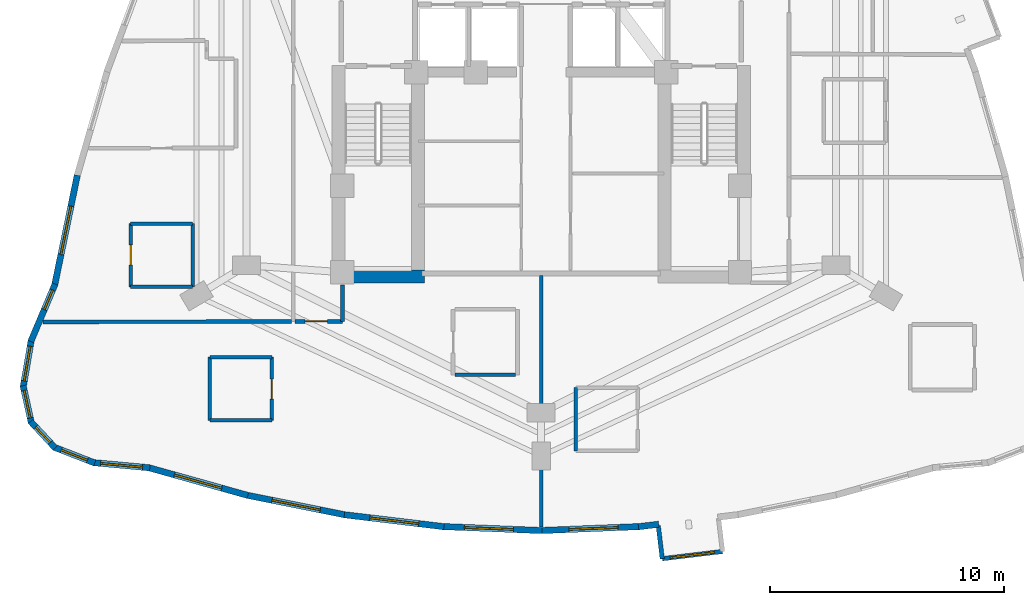
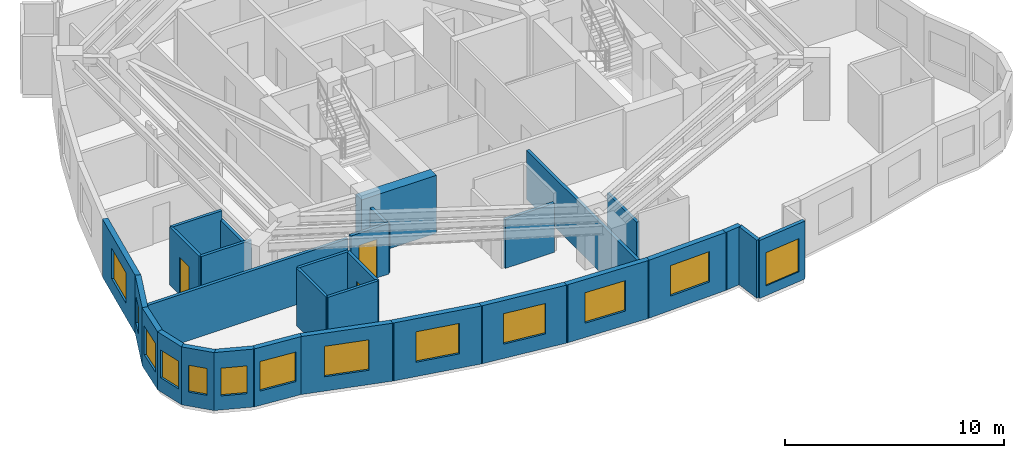
# One storey, part 6 of 12: 30 walls, 13 windows, 3 doors, 16 openings.
"""IFC4 building model written with IfcOpenShell, lengths in metres."""

import ifcopenshell
import ifcopenshell.guid

model = None  # the IFC model being written
_history = None  # IfcOwnerHistory: only IFC2X3 demands one
_inside = {}  # id of a spatial element -> (the spatial element, [elements in it])
_under = {}  # id of a project, library or spatial element -> (it, [spatial elements below it])
_declared = {}  # id of a project -> (the project, [libraries it declares])
_typed = {}  # id of a type object -> (the type object, [elements of that type])
_made_of = {}  # id of a material, layer set ... -> (it, [elements and type objects made of it])


def new_model(schema):
    """Start an empty IFC model of exactly this schema.

    Asked for "IFC4X3", IfcOpenShell would pick the latest addendum, in which some entities
    have other attributes; the version numbers below select the first issue.
    IFC2X3 requires an IfcOwnerHistory on every rooted entity: one is made here for all.
    """
    global model, _history
    if schema == "IFC4X3":
        model = ifcopenshell.file(schema_version=(4, 3, 0, 0))
    else:
        model = ifcopenshell.file(schema=schema)
    _inside.clear()
    _under.clear()
    _declared.clear()
    _typed.clear()
    _made_of.clear()
    _history = None
    if model.schema == "IFC2X3":
        org = make("IfcOrganization", Name="unknown")
        user = make(
            "IfcPersonAndOrganization",
            ThePerson=make("IfcPerson", FamilyName="unknown"),
            TheOrganization=org,
        )
        app = make(
            "IfcApplication",
            ApplicationDeveloper=org,
            Version="unknown",
            ApplicationFullName="unknown",
            ApplicationIdentifier="unknown",
        )
        _history = make(
            "IfcOwnerHistory",
            OwningUser=user,
            OwningApplication=app,
            ChangeAction="ADDED",
            CreationDate=0,
        )
    return model


def make(cls, **values):
    """One entity of the class cls with the attributes given. An attribute that is None is left unset."""
    return model.create_entity(
        cls, **{name: value for name, value in values.items() if value is not None}
    )


def rooted(cls, **values):
    """An entity with a GlobalId (a new one), such as an element, a storey or a relation."""
    return make(cls, GlobalId=ifcopenshell.guid.new(), OwnerHistory=_history, **values)


def si_unit(unit_type, name, prefix=None):
    """IfcSIUnit, for example si_unit("LENGTHUNIT", "METRE", prefix="MILLI")."""
    return make("IfcSIUnit", UnitType=unit_type, Prefix=prefix, Name=name)


def assignment(units):
    """IfcUnitAssignment: the units of a project."""
    return None if units is None else make("IfcUnitAssignment", Units=units)


def point(xyz):
    """IfcCartesianPoint."""
    return None if xyz is None else make("IfcCartesianPoint", Coordinates=xyz)


def direction(xyz):
    """IfcDirection."""
    return None if xyz is None else make("IfcDirection", DirectionRatios=xyz)


def frame(location, z_axis=None, x_axis=None):
    """IfcAxis2Placement3D, a coordinate frame: its origin and axes. An axis left out is left unset."""
    return make(
        "IfcAxis2Placement3D",
        Location=point(location),
        Axis=direction(z_axis),
        RefDirection=direction(x_axis),
    )


def frame_2d(location, x_axis=None):
    """IfcAxis2Placement2D, a coordinate frame in the plane: its origin and x axis."""
    return make(
        "IfcAxis2Placement2D", Location=point(location), RefDirection=direction(x_axis)
    )


def origin():
    """The frame at (0, 0, 0) with its axes left unset."""
    return frame((0.0, 0.0, 0.0))


def place(relative_to, where):
    """IfcLocalPlacement: puts the frame where relative to a parent placement (None: the world)."""
    return make(
        "IfcLocalPlacement", PlacementRelTo=relative_to, RelativePlacement=where
    )


def context(
    kind, dimensions, precision=None, world=None, true_north=None, identifier=None
):
    """IfcGeometricRepresentationContext, for example the 3D "Model" context."""
    return make(
        "IfcGeometricRepresentationContext",
        ContextIdentifier=identifier,
        ContextType=kind,
        CoordinateSpaceDimension=dimensions,
        Precision=precision,
        WorldCoordinateSystem=world,
        TrueNorth=true_north,
    )


def subcontext(parent, identifier, kind, view, scale=None):
    """IfcGeometricRepresentationSubContext, for example "Body" below "Model"."""
    return make(
        "IfcGeometricRepresentationSubContext",
        ContextIdentifier=identifier,
        ContextType=kind,
        ParentContext=parent,
        TargetScale=scale,
        TargetView=view,
    )


def project(units=None, contexts=None):
    """IfcProject with its units and contexts."""
    return rooted(
        "IfcProject",
        Name="project",
        RepresentationContexts=contexts,
        UnitsInContext=assignment(units),
    )


def spatial(cls, under=None, at=None, **own):
    """A site, building, storey or space (cls), placed at a placement, below another one or the project."""
    s = rooted(cls, ObjectPlacement=at, **own)
    if under is not None:
        _under.setdefault(under.id(), (under, []))[1].append(s)
    return s


def profile(cls, at=None, kind="AREA", **sizes):
    """A parametric profile (cls). Its sizes go by their IFC names, for example OverallWidth=200.0."""
    return make(cls, ProfileType=kind, Position=at, **sizes)


def rectangle(**sizes):
    """IfcRectangleProfileDef."""
    return profile("IfcRectangleProfileDef", **sizes)


def extrude(swept, where, along, depth):
    """IfcExtrudedAreaSolid: the profile swept, set in the frame where, extruded along a direction by depth."""
    return make(
        "IfcExtrudedAreaSolid",
        SweptArea=swept,
        Position=where,
        ExtrudedDirection=direction(along),
        Depth=depth,
    )


def shape(context_of_items, identifier, shape_type, items):
    """IfcShapeRepresentation: the items that make up one representation, for example the "Body"."""
    return make(
        "IfcShapeRepresentation",
        ContextOfItems=context_of_items,
        RepresentationIdentifier=identifier,
        RepresentationType=shape_type,
        Items=items,
    )


def material(Name=None, Category=None):
    """IfcMaterial."""
    return make("IfcMaterial", Name=Name, Category=Category)


def layer(
    of_material, thickness, ventilated=None, Name=None, Category=None, Priority=None
):
    """IfcMaterialLayer: one layer of a wall or slab, of a material (None: an air gap)."""
    return make(
        "IfcMaterialLayer",
        Material=of_material,
        LayerThickness=thickness,
        IsVentilated=ventilated,
        Name=Name,
        Category=Category,
        Priority=Priority,
    )


def layer_set(layers, Name=None):
    """IfcMaterialLayerSet."""
    return make("IfcMaterialLayerSet", MaterialLayers=layers, LayerSetName=Name)


def made_of(thing, what):
    """Note that an element or type object is made of a material, layer set ...; save() writes the relation."""
    if what is not None:
        _made_of.setdefault(what.id(), (what, []))[1].append(thing)
    return thing


def type_object(cls, material=None, **own):
    """A type object (cls), such as IfcWallType, which elements share."""
    return made_of(rooted(cls, **own), material)


def element(
    cls,
    number,
    at=None,
    inside=None,
    cuts=None,
    type_object=None,
    material=None,
    context=None,
    identifier="Body",
    shape_type=None,
    held_by="IfcProductDefinitionShape",
    body=None,
    shapes=None,
    **own,
):
    """One element of the class cls, such as IfcWall. Its Tag is "e" and its number.

    at: its placement. inside: the storey or other place that contains it. cuts: it is an
    opening in that element (IfcRelVoidsElement). A single representation is given by context,
    identifier, shape_type and body (its items); several are given by shapes. held_by: the class
    of the entity that holds the representations. save() writes the other relations.
    """
    e = rooted(cls, Tag="e%d" % number, ObjectPlacement=at, **own)
    if body is not None:
        shapes = [shape(context, identifier, shape_type, body)]
    if shapes is not None:
        e.Representation = make(held_by, Representations=shapes)
    if inside is not None:
        _inside.setdefault(inside.id(), (inside, []))[1].append(e)
    if cuts is not None:
        rooted(
            "IfcRelVoidsElement", RelatingBuildingElement=cuts, RelatedOpeningElement=e
        )
    if type_object is not None:
        _typed.setdefault(type_object.id(), (type_object, []))[1].append(e)
    return made_of(e, material)


def fill(opening, filler):
    """IfcRelFillsElement: the door or window that sits in an opening."""
    return rooted(
        "IfcRelFillsElement",
        RelatingOpeningElement=opening,
        RelatedBuildingElement=filler,
    )


def aggregate(whole, parts):
    """IfcRelAggregates: a whole, such as a stair, and the parts it consists of."""
    return rooted("IfcRelAggregates", RelatingObject=whole, RelatedObjects=parts)


def save(model, path):
    """Write the relations noted so far, then the file.

    IfcRelAggregates (storeys below a building ...), IfcRelContainedInSpatialStructure (elements
    in a storey), IfcRelDefinesByType, IfcRelAssociatesMaterial and IfcRelDeclares: one each for
    every whole, place, type object, material and project.
    """
    for whole, parts in _under.values():
        aggregate(whole, parts)
    for where, things in _inside.values():
        rooted(
            "IfcRelContainedInSpatialStructure",
            RelatedElements=things,
            RelatingStructure=where,
        )
    for kind, things in _typed.values():
        rooted("IfcRelDefinesByType", RelatedObjects=things, RelatingType=kind)
    for what, things in _made_of.values():
        rooted("IfcRelAssociatesMaterial", RelatedObjects=things, RelatingMaterial=what)
    for by, libraries in _declared.values():
        rooted("IfcRelDeclares", RelatingContext=by, RelatedDefinitions=libraries)
    model.write(path)


model = new_model("IFC4")

# Units and contexts
model_context = context("Model", 3, precision=1e-05, world=origin(), true_north=direction((0.0, 1.0)))
body_context = subcontext(model_context, "Body", "Model", "MODEL_VIEW")
ifc_project = project(units=[si_unit("LENGTHUNIT", "METRE"), si_unit("AREAUNIT", "SQUARE_METRE"), si_unit("VOLUMEUNIT", "CUBIC_METRE"), si_unit("PLANEANGLEUNIT", "RADIAN"), si_unit("MASSUNIT", "GRAM", prefix="KILO")], contexts=[model_context])

# Site, building, storey
site_placement = place(None, origin())
site = spatial("IfcSite", under=ifc_project, at=site_placement, CompositionType="ELEMENT")
building_placement = place(site_placement, origin())
building = spatial("IfcBuilding", under=site, at=building_placement, Name="Miruveldt Soraemaru", CompositionType="ELEMENT")
storey_placement = place(building_placement, frame((0.0, 0.0, 103.89990234375)))
storey = spatial("IfcBuildingStorey", under=building, at=storey_placement, Name="L28", CompositionType="ELEMENT", Elevation=103.89990234375)

# Wall
ifc_material_1 = material(Name="White powder-coated aluminium EN AW-6060 T6", Category="aluminium")
ifc_layer_1 = layer(ifc_material_1, 0.18994140625, Name="White powder-coated aluminium EN AW-6060 T6", Category="aluminium")
ifc_layer_set_1 = layer_set([ifc_layer_1], Name="White powder-coated aluminium EN AW-6060 T6")
wall_type_1 = type_object("IfcWallType", Name="WALL-BAY-ALU190", PredefinedType="SOLIDWALL", material=ifc_layer_set_1)
wall_1_placement = place(storey_placement, frame((49.00439453125, 24.66650390625, 0.0), z_axis=(0.0, 0.0, 1.0), x_axis=(0.119246559468, -0.992864672579, 0.0)))
element("IfcWall", 1, at=wall_1_placement, inside=storey, type_object=wall_type_1, Name="L28 Bay Window Side Cheek 1L", PredefinedType="SOLIDWALL", context=body_context, shape_type="SweptSolid", body=[
    extrude(rectangle(XDim=1.425048828125, YDim=0.18994140625, at=frame_2d((0.71240234375, 0.0))), origin(), (0.0, 0.0, 1.0), 3.235107421875),
])

# Wall, opening, window
wall_2_placement = place(storey_placement, frame((49.17431640625, 23.251708984375, 0.0), z_axis=(0.0, 0.0, 1.0), x_axis=(0.992885278793, 0.119074863663, 0.0)))
wall_2 = element("IfcWall", 2, at=wall_2_placement, inside=storey, type_object=wall_type_1, Name="L28 Bay Window Front Frame 1", PredefinedType="SOLIDWALL", context=body_context, shape_type="SweptSolid", body=[
    extrude(rectangle(XDim=2.599853515625, YDim=0.18994140625, at=frame_2d((1.2998046875, 0.0))), origin(), (0.0, 0.0, 1.0), 3.235107421875),
])
opening_1_placement = place(wall_2_placement, frame((0.35009765625, 0.0, 0.550048828125)))
opening_1 = element("IfcOpeningElement", 3, at=opening_1_placement, cuts=wall_2, Name="Opening WN-6", PredefinedType="OPENING", context=body_context, shape_type="SweptSolid", body=[
    extrude(rectangle(XDim=1.89990234375, YDim=1.85009765625, at=frame_2d((0.949951171875, 0.925048828125))), frame((0.0, 0.10498046875, 0.0), z_axis=(0.0, -1.0, 0.0), x_axis=(1.0, 0.0, 0.0)), (0.0, 0.0, 1.0), 0.2099609375),
])
ifc_material_2 = material(Name="Triple low-e insulated glazing", Category="glass")
window_type_1 = type_object("IfcWindowType", Name="WIN-BAYW-1900x1850", PartitioningType="SINGLE_PANEL", PredefinedType="WINDOW", material=ifc_material_2)
window_1_placement = place(opening_1_placement, origin())
window_1 = element("IfcWindow", 4, at=window_1_placement, inside=storey, type_object=window_type_1, Name="L28 Projecting Bay Window 1", OverallHeight=1.85009765625, OverallWidth=1.89990234375, PartitioningType="SINGLE_PANEL", PredefinedType="WINDOW", context=body_context, shape_type="SweptSolid", body=[
    extrude(rectangle(XDim=1.89990234375, YDim=1.85009765625, at=frame_2d((0.949951171875, 0.925048828125))), frame((0.0, 0.030029296875, 0.0), z_axis=(0.0, -1.0, 0.0), x_axis=(1.0, 0.0, 0.0)), (0.0, 0.0, 1.0), 0.06005859375),
])
fill(opening_1, window_1)

# Wall
ifc_material_3 = material(Name="Concrete C70/85 (70 MPa)", Category="concrete")
ifc_layer_2 = layer(ifc_material_3, 0.550048828125, Name="Concrete C70/85 (70 MPa)", Category="concrete")
ifc_layer_set_2 = layer_set([ifc_layer_2], Name="Concrete C70/85 (70 MPa)")
wall_type_2 = type_object("IfcWallType", Name="WALL-CW-550", PredefinedType="SHEAR", material=ifc_layer_set_2)
wall_3_placement = place(storey_placement, frame((35.050048828125, 35.324951171875, 0.0), z_axis=(0.0, 0.0, 1.0), x_axis=(1.0, 0.0, 0.0)))
element("IfcWall", 5, at=wall_3_placement, inside=storey, type_object=wall_type_2, Name="L28 Central Core Shear Wall S1", PredefinedType="SHEAR", context=body_context, shape_type="SweptSolid", body=[
    extrude(rectangle(XDim=3.949951171875, YDim=0.550048828125, at=frame_2d((1.97509765625, 0.0))), origin(), (0.0, 0.0, 1.0), 3.235107421875),
])

# Wall, opening, window
ifc_material_4 = material(Name="Precast concrete C45/55 (45 MPa)", Category="concrete")
ifc_layer_3 = layer(ifc_material_4, 0.27001953125, Name="Precast concrete C45/55 (45 MPa)", Category="concrete")
ifc_layer_set_3 = layer_set([ifc_layer_3], Name="Precast concrete C45/55 (45 MPa)")
wall_type_3 = type_object("IfcWallType", Name="WALL-EXT-PC270", PredefinedType="SOLIDWALL", material=ifc_layer_set_3)
wall_4_placement = place(storey_placement, frame((24.16162109375, 39.652099609375, 0.0), z_axis=(0.0, 0.0, 1.0), x_axis=(-0.201557182252, -0.97947674923, 0.0)))
wall_4 = element("IfcWall", 6, at=wall_4_placement, inside=storey, type_object=wall_type_3, Name="L28 Precast Concrete Facade Wall 14", PredefinedType="SOLIDWALL", context=body_context, shape_type="SweptSolid", body=[
    extrude(rectangle(XDim=4.82080078125, YDim=0.27001953125, at=frame_2d((2.410400390625, 0.0))), origin(), (0.0, 0.0, 1.0), 3.235107421875),
])
opening_2_placement = place(wall_4_placement, frame((1.360107421875, 0.0, 0.800048828125)))
opening_2 = element("IfcOpeningElement", 7, at=opening_2_placement, cuts=wall_4, Name="Opening WN-1", PredefinedType="OPENING", context=body_context, shape_type="SweptSolid", body=[
    extrude(rectangle(XDim=2.10009765625, YDim=1.699951171875, at=frame_2d((1.050048828125, 0.85009765625))), frame((0.0, 0.14501953125, 0.0), z_axis=(0.0, -1.0, 0.0), x_axis=(1.0, 0.0, 0.0)), (0.0, 0.0, 1.0), 0.2900390625),
])
window_type_2 = type_object("IfcWindowType", Name="WIN-PUNCH-2100x1700", PartitioningType="SINGLE_PANEL", PredefinedType="WINDOW", material=ifc_material_2)
window_2_placement = place(opening_2_placement, origin())
window_2 = element("IfcWindow", 8, at=window_2_placement, inside=storey, type_object=window_type_2, Name="L28 Punched Triple-Glazed Window 14.1", OverallHeight=1.699951171875, OverallWidth=2.10009765625, PartitioningType="SINGLE_PANEL", PredefinedType="WINDOW", context=body_context, shape_type="SweptSolid", body=[
    extrude(rectangle(XDim=2.10009765625, YDim=1.699951171875, at=frame_2d((1.050048828125, 0.85009765625))), frame((0.0, 0.030029296875, 0.0), z_axis=(0.0, -1.0, 0.0), x_axis=(1.0, 0.0, 0.0)), (0.0, 0.0, 1.0), 0.06005859375),
])
fill(opening_2, window_2)

wall_5_placement = place(storey_placement, frame((23.210693359375, 34.99658203125, 0.0), z_axis=(0.0, 0.0, 1.0), x_axis=(-0.38867133727, -0.921376465721, 0.0)))
wall_5 = element("IfcWall", 9, at=wall_5_placement, inside=storey, type_object=wall_type_3, Name="L28 Precast Concrete Facade Wall 15", PredefinedType="SOLIDWALL", context=body_context, shape_type="SweptSolid", body=[
    extrude(rectangle(XDim=2.66455078125, YDim=0.27001953125, at=frame_2d((1.332275390625, 0.0))), origin(), (0.0, 0.0, 1.0), 3.235107421875),
])
opening_3_placement = place(wall_5_placement, frame((0.279052734375, 0.0, 0.780029296875)))
opening_3 = element("IfcOpeningElement", 10, at=opening_3_placement, cuts=wall_5, Name="Opening WN-7", PredefinedType="OPENING", context=body_context, shape_type="SweptSolid", body=[
    extrude(rectangle(XDim=0.89990234375, YDim=1.5, at=frame_2d((0.449951171875, 0.75))), frame((0.0, 0.14501953125, 0.0), z_axis=(0.0, -1.0, 0.0), x_axis=(1.0, 0.0, 0.0)), (0.0, 0.0, 1.0), 0.2900390625),
])
window_type_3 = type_object("IfcWindowType", Name="WIN-PUNCH-900x1500", PartitioningType="SINGLE_PANEL", PredefinedType="WINDOW", material=ifc_material_2)
window_3_placement = place(opening_3_placement, origin())
window_3 = element("IfcWindow", 11, at=window_3_placement, inside=storey, type_object=window_type_3, Name="L28 Punched Triple-Glazed Window 15.1", OverallHeight=1.5, OverallWidth=0.89990234375, PartitioningType="SINGLE_PANEL", PredefinedType="WINDOW", context=body_context, shape_type="SweptSolid", body=[
    extrude(rectangle(XDim=0.89990234375, YDim=1.5, at=frame_2d((0.449951171875, 0.75))), frame((0.0, 0.030029296875, 0.0), z_axis=(0.0, -1.0, 0.0), x_axis=(1.0, 0.0, 0.0)), (0.0, 0.0, 1.0), 0.06005859375),
])
fill(opening_3, window_3)

wall_6_placement = place(storey_placement, frame((22.194580078125, 32.608154296875, 0.0), z_axis=(0.0, 0.0, 1.0), x_axis=(-0.16931007095, -0.985562834057, 0.0)))
wall_6 = element("IfcWall", 12, at=wall_6_placement, inside=storey, type_object=wall_type_3, Name="L28 Precast Concrete Facade Wall 16", PredefinedType="SOLIDWALL", context=body_context, shape_type="SweptSolid", body=[
    extrude(rectangle(XDim=2.054931640625, YDim=0.27001953125, at=frame_2d((1.02734375, 0.0))), origin(), (0.0, 0.0, 1.0), 3.235107421875),
])
opening_4_placement = place(wall_6_placement, frame((0.278076171875, 0.0, 0.800048828125)))
opening_4 = element("IfcOpeningElement", 13, at=opening_4_placement, cuts=wall_6, Name="Opening WN-3", PredefinedType="OPENING", context=body_context, shape_type="SweptSolid", body=[
    extrude(rectangle(XDim=1.5, YDim=1.60009765625, at=frame_2d((0.75, 0.800048828125))), frame((0.0, 0.14501953125, 0.0), z_axis=(0.0, -1.0, 0.0), x_axis=(1.0, 0.0, 0.0)), (0.0, 0.0, 1.0), 0.2900390625),
])
window_type_4 = type_object("IfcWindowType", Name="WIN-PUNCH-1500x1600", PartitioningType="SINGLE_PANEL", PredefinedType="WINDOW", material=ifc_material_2)
window_4_placement = place(opening_4_placement, origin())
window_4 = element("IfcWindow", 14, at=window_4_placement, inside=storey, type_object=window_type_4, Name="L28 Punched Triple-Glazed Window 16.1", OverallHeight=1.60009765625, OverallWidth=1.5, PartitioningType="SINGLE_PANEL", PredefinedType="WINDOW", context=body_context, shape_type="SweptSolid", body=[
    extrude(rectangle(XDim=1.5, YDim=1.60009765625, at=frame_2d((0.75, 0.800048828125))), frame((0.0, 0.030029296875, 0.0), z_axis=(0.0, -1.0, 0.0), x_axis=(1.0, 0.0, 0.0)), (0.0, 0.0, 1.0), 0.06005859375),
])
fill(opening_4, window_4)

wall_7_placement = place(storey_placement, frame((21.844970703125, 30.651611328125, 0.0), z_axis=(0.0, 0.0, 1.0), x_axis=(0.215628344591, -0.976475507634, 0.0)))
wall_7 = element("IfcWall", 15, at=wall_7_placement, inside=storey, type_object=wall_type_3, Name="L28 Precast Concrete Facade Wall 17", PredefinedType="SOLIDWALL", context=body_context, shape_type="SweptSolid", body=[
    extrude(rectangle(XDim=1.628173828125, YDim=0.27001953125, at=frame_2d((0.81396484375, 0.0))), origin(), (0.0, 0.0, 1.0), 3.235107421875),
])
opening_5_placement = place(wall_7_placement, frame((0.214111328125, 0.0, 0.780029296875)))
opening_5 = element("IfcOpeningElement", 16, at=opening_5_placement, cuts=wall_7, Name="Opening WN-4", PredefinedType="OPENING", context=body_context, shape_type="SweptSolid", body=[
    extrude(rectangle(XDim=1.199951171875, YDim=1.550048828125, at=frame_2d((0.60009765625, 0.77490234375))), frame((0.0, 0.14501953125, 0.0), z_axis=(0.0, -1.0, 0.0), x_axis=(1.0, 0.0, 0.0)), (0.0, 0.0, 1.0), 0.2900390625),
])
window_type_5 = type_object("IfcWindowType", Name="WIN-PUNCH-1200x1550", PartitioningType="SINGLE_PANEL", PredefinedType="WINDOW", material=ifc_material_2)
window_5_placement = place(opening_5_placement, origin())
window_5 = element("IfcWindow", 17, at=window_5_placement, inside=storey, type_object=window_type_5, Name="L28 Punched Triple-Glazed Window 17.1", OverallHeight=1.550048828125, OverallWidth=1.199951171875, PartitioningType="SINGLE_PANEL", PredefinedType="WINDOW", context=body_context, shape_type="SweptSolid", body=[
    extrude(rectangle(XDim=1.199951171875, YDim=1.550048828125, at=frame_2d((0.60009765625, 0.77490234375))), frame((0.0, 0.030029296875, 0.0), z_axis=(0.0, -1.0, 0.0), x_axis=(1.0, 0.0, 0.0)), (0.0, 0.0, 1.0), 0.06005859375),
])
fill(opening_5, window_5)

wall_8_placement = place(storey_placement, frame((22.164794921875, 29.12158203125, 0.0), z_axis=(0.0, 0.0, 1.0), x_axis=(0.68019166937, -0.733034305418, 0.0)))
wall_8 = element("IfcWall", 18, at=wall_8_placement, inside=storey, type_object=wall_type_3, Name="L28 Precast Concrete Facade Wall 18", PredefinedType="SOLIDWALL", context=body_context, shape_type="SweptSolid", body=[
    extrude(rectangle(XDim=1.552490234375, YDim=0.27001953125, at=frame_2d((0.7763671875, 0.0))), origin(), (0.0, 0.0, 1.0), 3.235107421875),
])
opening_6_placement = place(wall_8_placement, frame((0.325927734375, 0.0, 0.780029296875)))
opening_6 = element("IfcOpeningElement", 19, at=opening_6_placement, cuts=wall_8, Name="Opening WN-7", PredefinedType="OPENING", context=body_context, shape_type="SweptSolid", body=[
    extrude(rectangle(XDim=0.89990234375, YDim=1.5, at=frame_2d((0.449951171875, 0.75))), frame((0.0, 0.14501953125, 0.0), z_axis=(0.0, -1.0, 0.0), x_axis=(1.0, 0.0, 0.0)), (0.0, 0.0, 1.0), 0.2900390625),
])
window_6_placement = place(opening_6_placement, origin())
window_6 = element("IfcWindow", 20, at=window_6_placement, inside=storey, type_object=window_type_3, Name="L28 Punched Triple-Glazed Window 18.1", OverallHeight=1.5, OverallWidth=0.89990234375, PartitioningType="SINGLE_PANEL", PredefinedType="WINDOW", context=body_context, shape_type="SweptSolid", body=[
    extrude(rectangle(XDim=0.89990234375, YDim=1.5, at=frame_2d((0.449951171875, 0.75))), frame((0.0, 0.030029296875, 0.0), z_axis=(0.0, -1.0, 0.0), x_axis=(1.0, 0.0, 0.0)), (0.0, 0.0, 1.0), 0.06005859375),
])
fill(opening_6, window_6)

wall_9_placement = place(storey_placement, frame((23.164306640625, 28.02197265625, 0.0), z_axis=(0.0, 0.0, 1.0), x_axis=(0.932266214278, -0.361773003023, 0.0)))
wall_9 = element("IfcWall", 21, at=wall_9_placement, inside=storey, type_object=wall_type_3, Name="L28 Precast Concrete Facade Wall 19", PredefinedType="SOLIDWALL", context=body_context, shape_type="SweptSolid", body=[
    extrude(rectangle(XDim=1.872802734375, YDim=0.27001953125, at=frame_2d((0.9365234375, 0.0))), origin(), (0.0, 0.0, 1.0), 3.235107421875),
])
opening_7_placement = place(wall_9_placement, frame((0.3369140625, 0.0, 0.780029296875)))
opening_7 = element("IfcOpeningElement", 22, at=opening_7_placement, cuts=wall_9, Name="Opening WN-4", PredefinedType="OPENING", context=body_context, shape_type="SweptSolid", body=[
    extrude(rectangle(XDim=1.199951171875, YDim=1.550048828125, at=frame_2d((0.60009765625, 0.77490234375))), frame((0.0, 0.14501953125, 0.0), z_axis=(0.0, -1.0, 0.0), x_axis=(1.0, 0.0, 0.0)), (0.0, 0.0, 1.0), 0.2900390625),
])
window_7_placement = place(opening_7_placement, origin())
window_7 = element("IfcWindow", 23, at=window_7_placement, inside=storey, type_object=window_type_5, Name="L28 Punched Triple-Glazed Window 19.1", OverallHeight=1.550048828125, OverallWidth=1.199951171875, PartitioningType="SINGLE_PANEL", PredefinedType="WINDOW", context=body_context, shape_type="SweptSolid", body=[
    extrude(rectangle(XDim=1.199951171875, YDim=1.550048828125, at=frame_2d((0.60009765625, 0.77490234375))), frame((0.0, 0.030029296875, 0.0), z_axis=(0.0, -1.0, 0.0), x_axis=(1.0, 0.0, 0.0)), (0.0, 0.0, 1.0), 0.06005859375),
])
fill(opening_7, window_7)

wall_10_placement = place(storey_placement, frame((24.8427734375, 27.360595703125, 0.0), z_axis=(0.0, 0.0, 1.0), x_axis=(0.995757206461, -0.092019485874, 0.0)))
wall_10 = element("IfcWall", 24, at=wall_10_placement, inside=storey, type_object=wall_type_3, Name="L28 Precast Concrete Facade Wall 20", PredefinedType="SOLIDWALL", context=body_context, shape_type="SweptSolid", body=[
    extrude(rectangle(XDim=2.432861328125, YDim=0.27001953125, at=frame_2d((1.21630859375, 0.0))), origin(), (0.0, 0.0, 1.0), 3.235107421875),
])
opening_8_placement = place(wall_10_placement, frame((0.31689453125, 0.0, 0.800048828125)))
opening_8 = element("IfcOpeningElement", 25, at=opening_8_placement, cuts=wall_10, Name="Opening WN-2", PredefinedType="OPENING", context=body_context, shape_type="SweptSolid", body=[
    extrude(rectangle(XDim=1.800048828125, YDim=1.64990234375, at=frame_2d((0.89990234375, 0.824951171875))), frame((0.0, 0.14501953125, 0.0), z_axis=(0.0, -1.0, 0.0), x_axis=(1.0, 0.0, 0.0)), (0.0, 0.0, 1.0), 0.2900390625),
])
window_type_6 = type_object("IfcWindowType", Name="WIN-PUNCH-1800x1650", PartitioningType="SINGLE_PANEL", PredefinedType="WINDOW", material=ifc_material_2)
window_8_placement = place(opening_8_placement, origin())
window_8 = element("IfcWindow", 26, at=window_8_placement, inside=storey, type_object=window_type_6, Name="L28 Punched Triple-Glazed Window 20.1", OverallHeight=1.64990234375, OverallWidth=1.800048828125, PartitioningType="SINGLE_PANEL", PredefinedType="WINDOW", context=body_context, shape_type="SweptSolid", body=[
    extrude(rectangle(XDim=1.800048828125, YDim=1.64990234375, at=frame_2d((0.89990234375, 0.824951171875))), frame((0.0, 0.030029296875, 0.0), z_axis=(0.0, -1.0, 0.0), x_axis=(1.0, 0.0, 0.0)), (0.0, 0.0, 1.0), 0.06005859375),
])
fill(opening_8, window_8)

wall_11_placement = place(storey_placement, frame((27.19677734375, 27.1494140625, 0.0), z_axis=(0.0, 0.0, 1.0), x_axis=(0.962970324639, -0.269607406916, 0.0)))
wall_11 = element("IfcWall", 27, at=wall_11_placement, inside=storey, type_object=wall_type_3, Name="L28 Precast Concrete Facade Wall 21", PredefinedType="SOLIDWALL", context=body_context, shape_type="SweptSolid", body=[
    extrude(rectangle(XDim=4.423583984375, YDim=0.27001953125, at=frame_2d((2.2119140625, 0.0))), origin(), (0.0, 0.0, 1.0), 3.235107421875),
])
opening_9_placement = place(wall_11_placement, frame((1.162109375, 0.0, 0.800048828125)))
opening_9 = element("IfcOpeningElement", 28, at=opening_9_placement, cuts=wall_11, Name="Opening WN-1", PredefinedType="OPENING", context=body_context, shape_type="SweptSolid", body=[
    extrude(rectangle(XDim=2.10009765625, YDim=1.699951171875, at=frame_2d((1.050048828125, 0.85009765625))), frame((0.0, 0.14501953125, 0.0), z_axis=(0.0, -1.0, 0.0), x_axis=(1.0, 0.0, 0.0)), (0.0, 0.0, 1.0), 0.2900390625),
])
window_9_placement = place(opening_9_placement, origin())
window_9 = element("IfcWindow", 29, at=window_9_placement, inside=storey, type_object=window_type_2, Name="L28 Punched Triple-Glazed Window 21.1", OverallHeight=1.699951171875, OverallWidth=2.10009765625, PartitioningType="SINGLE_PANEL", PredefinedType="WINDOW", context=body_context, shape_type="SweptSolid", body=[
    extrude(rectangle(XDim=2.10009765625, YDim=1.699951171875, at=frame_2d((1.050048828125, 0.85009765625))), frame((0.0, 0.030029296875, 0.0), z_axis=(0.0, -1.0, 0.0), x_axis=(1.0, 0.0, 0.0)), (0.0, 0.0, 1.0), 0.06005859375),
])
fill(opening_9, window_9)

wall_12_placement = place(storey_placement, frame((31.388427734375, 25.972900390625, 0.0), z_axis=(0.0, 0.0, 1.0), x_axis=(0.98057635362, -0.196137744255, 0.0)))
wall_12 = element("IfcWall", 30, at=wall_12_placement, inside=storey, type_object=wall_type_3, Name="L28 Precast Concrete Facade Wall 22", PredefinedType="SOLIDWALL", context=body_context, shape_type="SweptSolid", body=[
    extrude(rectangle(XDim=4.345458984375, YDim=0.27001953125, at=frame_2d((2.1728515625, 0.0))), origin(), (0.0, 0.0, 1.0), 3.235107421875),
])
opening_10_placement = place(wall_12_placement, frame((1.1220703125, 0.0, 0.800048828125)))
opening_10 = element("IfcOpeningElement", 31, at=opening_10_placement, cuts=wall_12, Name="Opening WN-1", PredefinedType="OPENING", context=body_context, shape_type="SweptSolid", body=[
    extrude(rectangle(XDim=2.10009765625, YDim=1.699951171875, at=frame_2d((1.050048828125, 0.85009765625))), frame((0.0, 0.14501953125, 0.0), z_axis=(0.0, -1.0, 0.0), x_axis=(1.0, 0.0, 0.0)), (0.0, 0.0, 1.0), 0.2900390625),
])
window_10_placement = place(opening_10_placement, origin())
window_10 = element("IfcWindow", 32, at=window_10_placement, inside=storey, type_object=window_type_2, Name="L28 Punched Triple-Glazed Window 22.1", OverallHeight=1.699951171875, OverallWidth=2.10009765625, PartitioningType="SINGLE_PANEL", PredefinedType="WINDOW", context=body_context, shape_type="SweptSolid", body=[
    extrude(rectangle(XDim=2.10009765625, YDim=1.699951171875, at=frame_2d((1.050048828125, 0.85009765625))), frame((0.0, 0.030029296875, 0.0), z_axis=(0.0, -1.0, 0.0), x_axis=(1.0, 0.0, 0.0)), (0.0, 0.0, 1.0), 0.06005859375),
])
fill(opening_10, window_10)

wall_13_placement = place(storey_placement, frame((35.580322265625, 25.1318359375, 0.0), z_axis=(0.0, 0.0, 1.0), x_axis=(0.992875761938, -0.119154191514, 0.0)))
wall_13 = element("IfcWall", 33, at=wall_13_placement, inside=storey, type_object=wall_type_3, Name="L28 Precast Concrete Facade Wall 23", PredefinedType="SOLIDWALL", context=body_context, shape_type="SweptSolid", body=[
    extrude(rectangle(XDim=4.29248046875, YDim=0.27001953125, at=frame_2d((2.146240234375, 0.0))), origin(), (0.0, 0.0, 1.0), 3.235107421875),
])
opening_11_placement = place(wall_13_placement, frame((1.096923828125, 0.0, 0.800048828125)))
opening_11 = element("IfcOpeningElement", 34, at=opening_11_placement, cuts=wall_13, Name="Opening WN-1", PredefinedType="OPENING", context=body_context, shape_type="SweptSolid", body=[
    extrude(rectangle(XDim=2.10009765625, YDim=1.699951171875, at=frame_2d((1.050048828125, 0.85009765625))), frame((0.0, 0.14501953125, 0.0), z_axis=(0.0, -1.0, 0.0), x_axis=(1.0, 0.0, 0.0)), (0.0, 0.0, 1.0), 0.2900390625),
])
window_11_placement = place(opening_11_placement, origin())
window_11 = element("IfcWindow", 35, at=window_11_placement, inside=storey, type_object=window_type_2, Name="L28 Punched Triple-Glazed Window 23.1", OverallHeight=1.699951171875, OverallWidth=2.10009765625, PartitioningType="SINGLE_PANEL", PredefinedType="WINDOW", context=body_context, shape_type="SweptSolid", body=[
    extrude(rectangle(XDim=2.10009765625, YDim=1.699951171875, at=frame_2d((1.050048828125, 0.85009765625))), frame((0.0, 0.030029296875, 0.0), z_axis=(0.0, -1.0, 0.0), x_axis=(1.0, 0.0, 0.0)), (0.0, 0.0, 1.0), 0.06005859375),
])
fill(opening_11, window_11)

wall_14_placement = place(storey_placement, frame((39.772705078125, 24.6259765625, 0.0), z_axis=(0.0, 0.0, 1.0), x_axis=(0.999199403675, -0.040006895588, 0.0)))
wall_14 = element("IfcWall", 36, at=wall_14_placement, inside=storey, type_object=wall_type_3, Name="L28 Precast Concrete Facade Wall 24", PredefinedType="SOLIDWALL", context=body_context, shape_type="SweptSolid", body=[
    extrude(rectangle(XDim=4.265625, YDim=0.27001953125, at=frame_2d((2.1328125, 0.0))), origin(), (0.0, 0.0, 1.0), 3.235107421875),
])
opening_12_placement = place(wall_14_placement, frame((0.943115234375, 0.0, 0.800048828125)))
opening_12 = element("IfcOpeningElement", 37, at=opening_12_placement, cuts=wall_14, Name="Opening WN-1", PredefinedType="OPENING", context=body_context, shape_type="SweptSolid", body=[
    extrude(rectangle(XDim=2.10009765625, YDim=1.699951171875, at=frame_2d((1.050048828125, 0.85009765625))), frame((0.0, 0.14501953125, 0.0), z_axis=(0.0, -1.0, 0.0), x_axis=(1.0, 0.0, 0.0)), (0.0, 0.0, 1.0), 0.2900390625),
])
window_12_placement = place(opening_12_placement, origin())
window_12 = element("IfcWindow", 38, at=window_12_placement, inside=storey, type_object=window_type_2, Name="L28 Punched Triple-Glazed Window 24.1", OverallHeight=1.699951171875, OverallWidth=2.10009765625, PartitioningType="SINGLE_PANEL", PredefinedType="WINDOW", context=body_context, shape_type="SweptSolid", body=[
    extrude(rectangle(XDim=2.10009765625, YDim=1.699951171875, at=frame_2d((1.050048828125, 0.85009765625))), frame((0.0, 0.030029296875, 0.0), z_axis=(0.0, -1.0, 0.0), x_axis=(1.0, 0.0, 0.0)), (0.0, 0.0, 1.0), 0.06005859375),
])
fill(opening_12, window_12)

wall_15_placement = place(storey_placement, frame((43.965087890625, 24.455322265625, 0.0), z_axis=(0.0, 0.0, 1.0), x_axis=(0.999199403675, 0.040006895588, 0.0)))
wall_15 = element("IfcWall", 39, at=wall_15_placement, inside=storey, type_object=wall_type_3, Name="L28 Precast Concrete Facade Wall 25", PredefinedType="SOLIDWALL", context=body_context, shape_type="SweptSolid", body=[
    extrude(rectangle(XDim=4.265625, YDim=0.27001953125, at=frame_2d((2.1328125, 0.0))), origin(), (0.0, 0.0, 1.0), 3.235107421875),
])
opening_13_placement = place(wall_15_placement, frame((1.22412109375, 0.0, 0.800048828125)))
opening_13 = element("IfcOpeningElement", 40, at=opening_13_placement, cuts=wall_15, Name="Opening WN-1", PredefinedType="OPENING", context=body_context, shape_type="SweptSolid", body=[
    extrude(rectangle(XDim=2.10009765625, YDim=1.699951171875, at=frame_2d((1.050048828125, 0.85009765625))), frame((0.0, 0.14501953125, 0.0), z_axis=(0.0, -1.0, 0.0), x_axis=(1.0, 0.0, 0.0)), (0.0, 0.0, 1.0), 0.2900390625),
])
window_13_placement = place(opening_13_placement, origin())
window_13 = element("IfcWindow", 41, at=window_13_placement, inside=storey, type_object=window_type_2, Name="L28 Punched Triple-Glazed Window 25.1", OverallHeight=1.699951171875, OverallWidth=2.10009765625, PartitioningType="SINGLE_PANEL", PredefinedType="WINDOW", context=body_context, shape_type="SweptSolid", body=[
    extrude(rectangle(XDim=2.10009765625, YDim=1.699951171875, at=frame_2d((1.050048828125, 0.85009765625))), frame((0.0, 0.030029296875, 0.0), z_axis=(0.0, -1.0, 0.0), x_axis=(1.0, 0.0, 0.0)), (0.0, 0.0, 1.0), 0.06005859375),
])
fill(opening_13, window_13)

# Wall
wall_16_placement = place(storey_placement, frame((48.15771484375, 24.620361328125, 0.0), z_axis=(0.0, 0.0, 1.0), x_axis=(0.992862326792, 0.119266089213, 0.0)))
element("IfcWall", 42, at=wall_16_placement, inside=storey, type_object=wall_type_3, Name="L28 Precast Pier Wall 26A", PredefinedType="SOLIDWALL", context=body_context, shape_type="SweptSolid", body=[
    extrude(rectangle(XDim=0.876220703125, YDim=0.27001953125, at=frame_2d((0.43798828125, 0.0))), origin(), (0.0, 0.0, 1.0), 3.235107421875),
])

# Wall, opening, door
ifc_material_5 = material(Name="Gypsum plasterboard lining", Category="gypsum")
ifc_layer_4 = layer(ifc_material_5, 0.14990234375, Name="Gypsum plasterboard lining", Category="gypsum")
ifc_layer_set_4 = layer_set([ifc_layer_4], Name="Gypsum plasterboard lining")
wall_type_4 = type_object("IfcWallType", Name="WALL-INT-PLUMB", PredefinedType="PLUMBINGWALL", material=ifc_layer_set_4)
wall_17_placement = place(storey_placement, frame((32.48193359375, 29.1689453125, 0.0), z_axis=(0.0, 0.0, 1.0), x_axis=(0.0, 1.0, 0.0)))
wall_17 = element("IfcWall", 43, at=wall_17_placement, inside=storey, type_object=wall_type_4, Name="L28 Partition Wall 66", PredefinedType="PLUMBINGWALL", context=body_context, shape_type="SweptSolid", body=[
    extrude(rectangle(XDim=2.699951171875, YDim=0.14990234375, at=frame_2d((1.35009765625, 0.0))), origin(), (0.0, 0.0, 1.0), 3.235107421875),
])
opening_14_placement = place(wall_17_placement, frame((0.909912109375, 0.0, 0.0)))
opening_14 = element("IfcOpeningElement", 44, at=opening_14_placement, cuts=wall_17, Name="Opening FD3", PredefinedType="OPENING", context=body_context, shape_type="SweptSolid", body=[
    extrude(rectangle(XDim=0.85009765625, YDim=2.10009765625, at=frame_2d((0.425048828125, 1.050048828125))), frame((0.0, 0.0849609375, 0.0), z_axis=(0.0, -1.0, 0.0), x_axis=(1.0, 0.0, 0.0)), (0.0, 0.0, 1.0), 0.169921875),
])
ifc_material_6 = material(Name="Anodised aluminium EN AW-6063 T6", Category="aluminium")
door_type_1 = type_object("IfcDoorType", Name="DOOR-FD3-850", OperationType="NOTDEFINED", PredefinedType="DOOR", material=ifc_material_6)
door_1_placement = place(opening_14_placement, origin())
door_1 = element("IfcDoor", 45, at=door_1_placement, inside=storey, type_object=door_type_1, Name="L28 Unit CL06 BTH Door", OperationType="SINGLE_SWING_LEFT", OverallHeight=2.10009765625, OverallWidth=0.85009765625, PredefinedType="DOOR", context=body_context, shape_type="SweptSolid", body=[
    extrude(rectangle(XDim=0.85009765625, YDim=2.10009765625, at=frame_2d((0.425048828125, 1.050048828125))), frame((0.0, 0.02490234375, 0.0), z_axis=(0.0, -1.0, 0.0), x_axis=(1.0, 0.0, 0.0)), (0.0, 0.0, 1.0), 0.050048828125),
])
fill(opening_14, door_1)

wall_18_placement = place(storey_placement, frame((26.447021484375, 37.580078125, 0.0), z_axis=(0.0, 0.0, 1.0), x_axis=(0.0, -1.0, 0.0)))
wall_18 = element("IfcWall", 46, at=wall_18_placement, inside=storey, type_object=wall_type_4, Name="L28 Partition Wall 39", PredefinedType="PLUMBINGWALL", context=body_context, shape_type="SweptSolid", body=[
    extrude(rectangle(XDim=2.7001953125, YDim=0.14990234375, at=frame_2d((1.35009765625, 0.0))), origin(), (0.0, 0.0, 1.0), 3.235107421875),
])
opening_15_placement = place(wall_18_placement, frame((0.909912109375, 0.0, 0.0)))
opening_15 = element("IfcOpeningElement", 47, at=opening_15_placement, cuts=wall_18, Name="Opening FD3", PredefinedType="OPENING", context=body_context, shape_type="SweptSolid", body=[
    extrude(rectangle(XDim=0.85009765625, YDim=2.10009765625, at=frame_2d((0.425048828125, 1.050048828125))), frame((0.0, 0.0849609375, 0.0), z_axis=(0.0, -1.0, 0.0), x_axis=(1.0, 0.0, 0.0)), (0.0, 0.0, 1.0), 0.169921875),
])
door_2_placement = place(opening_15_placement, origin())
door_2 = element("IfcDoor", 48, at=door_2_placement, inside=storey, type_object=door_type_1, Name="L28 Unit 2803 BTH Door", OperationType="SINGLE_SWING_LEFT", OverallHeight=2.10009765625, OverallWidth=0.85009765625, PredefinedType="DOOR", context=body_context, shape_type="SweptSolid", body=[
    extrude(rectangle(XDim=0.85009765625, YDim=2.10009765625, at=frame_2d((0.425048828125, 1.050048828125))), frame((0.0, 0.02490234375, 0.0), z_axis=(0.0, -1.0, 0.0), x_axis=(1.0, 0.0, 0.0)), (0.0, 0.0, 1.0), 0.050048828125),
])
fill(opening_15, door_2)

# Walls
wall_19_placement = place(storey_placement, frame((45.47998046875, 30.569091796875, 0.0), z_axis=(0.0, 0.0, 1.0), x_axis=(0.0, -1.0, 0.0)))
element("IfcWall", 49, at=wall_19_placement, inside=storey, type_object=wall_type_4, Name="L28 Partition Wall 51", PredefinedType="PLUMBINGWALL", context=body_context, shape_type="SweptSolid", body=[
    extrude(rectangle(XDim=2.7001953125, YDim=0.14990234375, at=frame_2d((1.35009765625, 0.0))), origin(), (0.0, 0.0, 1.0), 2.72314453125),
])
wall_20_placement = place(storey_placement, frame((29.83203125, 31.868896484375, 0.0), z_axis=(0.0, 0.0, 1.0), x_axis=(0.0, -1.0, 0.0)))
element("IfcWall", 50, at=wall_20_placement, inside=storey, type_object=wall_type_4, Name="L28 Partition Wall 68", PredefinedType="PLUMBINGWALL", context=body_context, shape_type="SweptSolid", body=[
    extrude(rectangle(XDim=2.699951171875, YDim=0.14990234375, at=frame_2d((1.35009765625, 0.0))), origin(), (0.0, 0.0, 1.0), 3.235107421875),
])
wall_21_placement = place(storey_placement, frame((29.096923828125, 34.8798828125, 0.0), z_axis=(0.0, 0.0, 1.0), x_axis=(0.0, 1.0, 0.0)))
element("IfcWall", 51, at=wall_21_placement, inside=storey, type_object=wall_type_4, Name="L28 Partition Wall 37", PredefinedType="PLUMBINGWALL", context=body_context, shape_type="SweptSolid", body=[
    extrude(rectangle(XDim=2.7001953125, YDim=0.14990234375, at=frame_2d((1.35009765625, 0.0))), origin(), (0.0, 0.0, 1.0), 2.72314453125),
])
for number, where, z_axis, x_axis, name in (
    (52, (29.096923828125, 37.580078125, 0.0), (0.0, 0.0, 1.0), (-1.0, 0.0, 0.0), "L28 Partition Wall 38"),
    (53, (26.447021484375, 34.8798828125, 0.0), (0.0, 0.0, 1.0), (1.0, 0.0, 0.0), "L28 Partition Wall 40"),
    (54, (32.48193359375, 31.868896484375, 0.0), (0.0, 0.0, 1.0), (-1.0, 0.0, 0.0), "L28 Partition Wall 67"),
    (55, (29.83203125, 29.1689453125, 0.0), (0.0, 0.0, 1.0), (1.0, 0.0, 0.0), "L28 Partition Wall 69"),
):
    element("IfcWall", number, at=place(storey_placement, frame(where, z_axis=z_axis, x_axis=x_axis)), inside=storey, type_object=wall_type_4, Name=name, PredefinedType="PLUMBINGWALL", context=body_context, shape_type="SweptSolid", body=[
        extrude(rectangle(XDim=2.64990234375, YDim=0.14990234375, at=frame_2d((1.324951171875, 0.0))), origin(), (0.0, 0.0, 1.0), 3.235107421875),
    ])

# Wall, opening, door
ifc_material_7 = material(Name="Concrete C40/50 (40 MPa)", Category="concrete")
ifc_layer_5 = layer(ifc_material_7, 0.159912109375, Name="Concrete C40/50 (40 MPa)", Category="concrete")
ifc_layer_set_5 = layer_set([ifc_layer_5], Name="Concrete C40/50 (40 MPa)")
wall_type_5 = type_object("IfcWallType", Name="WALL-INT-RC160", PredefinedType="SOLIDWALL", material=ifc_layer_set_5)
wall_22_placement = place(storey_placement, frame((33.47998046875, 33.39990234375, 0.0), z_axis=(0.0, 0.0, 1.0), x_axis=(1.0, 0.0, 0.0)))
wall_22 = element("IfcWall", 56, at=wall_22_placement, inside=storey, type_object=wall_type_5, Name="L28 Partition Wall 7", PredefinedType="SOLIDWALL", context=body_context, shape_type="SweptSolid", body=[
    extrude(rectangle(XDim=2.02001953125, YDim=0.159912109375, at=frame_2d((1.010009765625, 0.0))), origin(), (0.0, 0.0, 1.0), 2.822998046875),
])
opening_16_placement = place(wall_22_placement, frame((0.425048828125, 0.0, 0.0)))
opening_16 = element("IfcOpeningElement", 57, at=opening_16_placement, cuts=wall_22, Name="Opening FD2", PredefinedType="OPENING", context=body_context, shape_type="SweptSolid", body=[
    extrude(rectangle(XDim=0.949951171875, YDim=2.14990234375, at=frame_2d((0.47509765625, 1.074951171875))), frame((0.0, 0.08984375, 0.0), z_axis=(0.0, -1.0, 0.0), x_axis=(1.0, 0.0, 0.0)), (0.0, 0.0, 1.0), 0.179931640625),
])
door_type_2 = type_object("IfcDoorType", Name="DOOR-FD2-950", OperationType="NOTDEFINED", PredefinedType="DOOR", material=ifc_material_6)
door_3_placement = place(opening_16_placement, origin())
door_3 = element("IfcDoor", 58, at=door_3_placement, inside=storey, type_object=door_type_2, Name="L28 Unit CL06 Entrance Fire Door", OperationType="SINGLE_SWING_RIGHT", OverallHeight=2.14990234375, OverallWidth=0.949951171875, PredefinedType="DOOR", context=body_context, shape_type="SweptSolid", body=[
    extrude(rectangle(XDim=0.949951171875, YDim=2.14990234375, at=frame_2d((0.47509765625, 1.074951171875))), frame((0.0, 0.02490234375, 0.0), z_axis=(0.0, -1.0, 0.0), x_axis=(1.0, 0.0, 0.0)), (0.0, 0.0, 1.0), 0.050048828125),
])
fill(opening_16, door_3)

# Walls
wall_23_placement = place(storey_placement, frame((44.0, 35.364990234375, 0.0), z_axis=(0.0, 0.0, 1.0), x_axis=(0.0, -1.0, 0.0)))
element("IfcWall", 59, at=wall_23_placement, inside=storey, type_object=wall_type_5, Name="L28 Partition Wall 58", PredefinedType="SOLIDWALL", context=body_context, shape_type="SweptSolid", body=[
    extrude(rectangle(XDim=10.758056640625, YDim=0.159912109375, at=frame_2d((5.37890625, 0.0))), origin(), (0.0, 0.0, 1.0), 2.72314453125),
])
wall_24_placement = place(storey_placement, frame((22.68896484375, 33.3740234375, 0.0), z_axis=(0.0, 0.0, 1.0), x_axis=(0.999997037194, 0.002434256193, 0.0)))
element("IfcWall", 60, at=wall_24_placement, inside=storey, type_object=wall_type_5, Name="L28 Partition Wall 48", PredefinedType="SOLIDWALL", context=body_context, shape_type="SweptSolid", body=[
    extrude(rectangle(XDim=10.631103515625, YDim=0.159912109375, at=frame_2d((5.3154296875, 0.0))), origin(), (0.0, 0.0, 1.0), 2.72314453125),
])
wall_25_placement = place(storey_placement, frame((40.31201171875, 31.118896484375, 0.0), z_axis=(0.0, 0.0, 1.0), x_axis=(1.0, 0.0, 0.0)))
element("IfcWall", 61, at=wall_25_placement, inside=storey, type_object=wall_type_5, Name="L28 Partition Wall 73", PredefinedType="SOLIDWALL", context=body_context, shape_type="SweptSolid", body=[
    extrude(rectangle(XDim=2.590087890625, YDim=0.159912109375, at=frame_2d((1.294921875, 0.0))), origin(), (0.0, 0.0, 1.0), 2.735107421875),
])
wall_26_placement = place(storey_placement, frame((35.5, 33.39990234375, 0.0), z_axis=(0.0, 0.0, 1.0), x_axis=(0.0, 1.0, 0.0)))
element("IfcWall", 62, at=wall_26_placement, inside=storey, type_object=wall_type_5, Name="L28 Partition Wall 8", PredefinedType="SOLIDWALL", context=body_context, shape_type="SweptSolid", body=[
    extrude(rectangle(XDim=1.547119140625, YDim=0.159912109375, at=frame_2d((0.7734375, 0.0))), origin(), (0.0, 0.0, 1.0), 2.735107421875),
])

save(model, "model.ifc")
